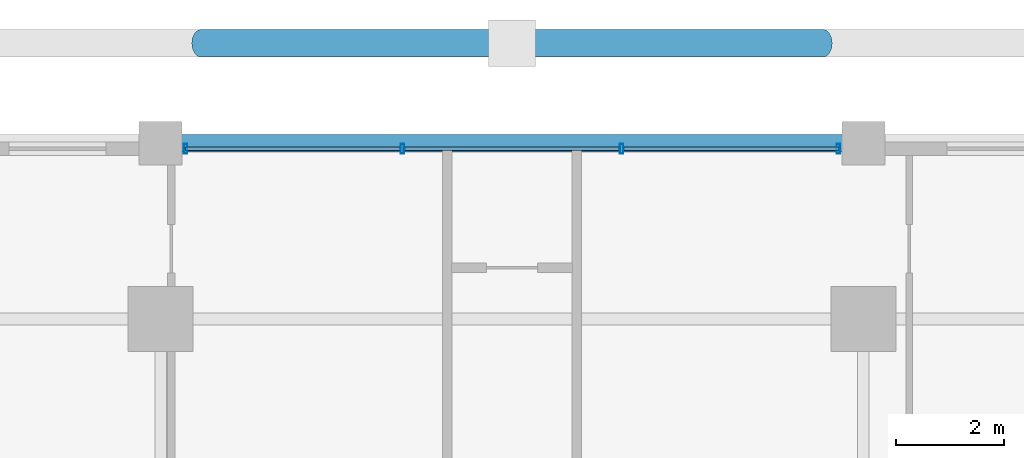
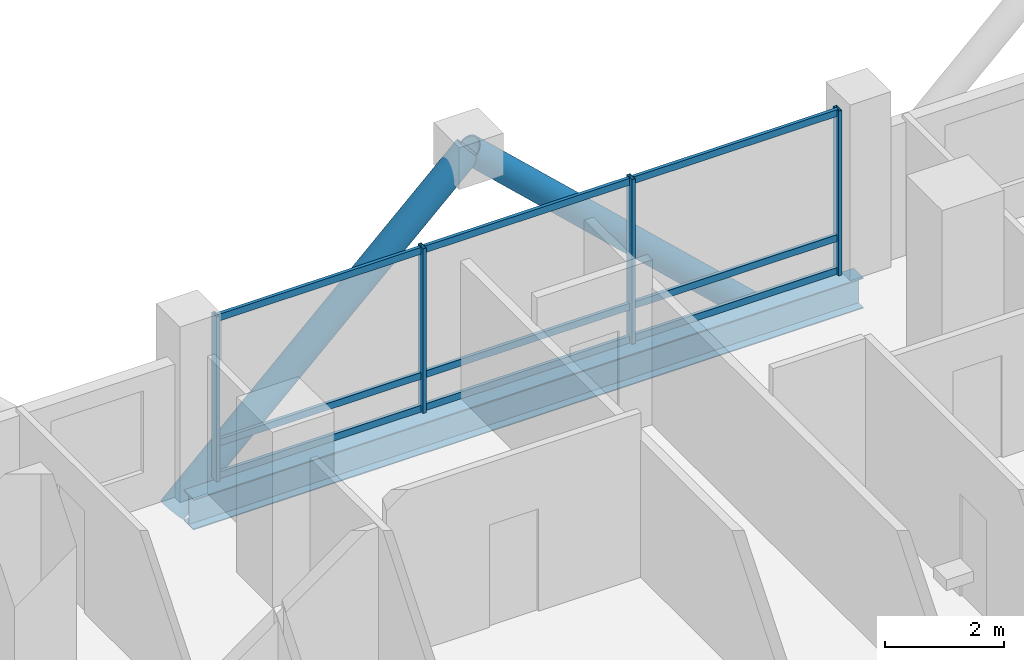
# One storey, part 13 of 23: 15 members, 1 beam, 1 element without a shape of its own.
"""IFC4 building model written with IfcOpenShell, lengths in metres."""

import ifcopenshell
import ifcopenshell.guid

model = None  # the IFC model being written
_history = None  # IfcOwnerHistory: only IFC2X3 demands one
_inside = {}  # id of a spatial element -> (the spatial element, [elements in it])
_under = {}  # id of a project, library or spatial element -> (it, [spatial elements below it])
_declared = {}  # id of a project -> (the project, [libraries it declares])
_typed = {}  # id of a type object -> (the type object, [elements of that type])
_made_of = {}  # id of a material, layer set ... -> (it, [elements and type objects made of it])


def new_model(schema):
    """Start an empty IFC model of exactly this schema.

    Asked for "IFC4X3", IfcOpenShell would pick the latest addendum, in which some entities
    have other attributes; the version numbers below select the first issue.
    IFC2X3 requires an IfcOwnerHistory on every rooted entity: one is made here for all.
    """
    global model, _history
    if schema == "IFC4X3":
        model = ifcopenshell.file(schema_version=(4, 3, 0, 0))
    else:
        model = ifcopenshell.file(schema=schema)
    _inside.clear()
    _under.clear()
    _declared.clear()
    _typed.clear()
    _made_of.clear()
    _history = None
    if model.schema == "IFC2X3":
        org = make("IfcOrganization", Name="unknown")
        user = make(
            "IfcPersonAndOrganization",
            ThePerson=make("IfcPerson", FamilyName="unknown"),
            TheOrganization=org,
        )
        app = make(
            "IfcApplication",
            ApplicationDeveloper=org,
            Version="unknown",
            ApplicationFullName="unknown",
            ApplicationIdentifier="unknown",
        )
        _history = make(
            "IfcOwnerHistory",
            OwningUser=user,
            OwningApplication=app,
            ChangeAction="ADDED",
            CreationDate=0,
        )
    return model


def make(cls, **values):
    """One entity of the class cls with the attributes given. An attribute that is None is left unset."""
    return model.create_entity(
        cls, **{name: value for name, value in values.items() if value is not None}
    )


def rooted(cls, **values):
    """An entity with a GlobalId (a new one), such as an element, a storey or a relation."""
    return make(cls, GlobalId=ifcopenshell.guid.new(), OwnerHistory=_history, **values)


def si_unit(unit_type, name, prefix=None):
    """IfcSIUnit, for example si_unit("LENGTHUNIT", "METRE", prefix="MILLI")."""
    return make("IfcSIUnit", UnitType=unit_type, Prefix=prefix, Name=name)


def assignment(units):
    """IfcUnitAssignment: the units of a project."""
    return None if units is None else make("IfcUnitAssignment", Units=units)


def point(xyz):
    """IfcCartesianPoint."""
    return None if xyz is None else make("IfcCartesianPoint", Coordinates=xyz)


def direction(xyz):
    """IfcDirection."""
    return None if xyz is None else make("IfcDirection", DirectionRatios=xyz)


def frame(location, z_axis=None, x_axis=None):
    """IfcAxis2Placement3D, a coordinate frame: its origin and axes. An axis left out is left unset."""
    return make(
        "IfcAxis2Placement3D",
        Location=point(location),
        Axis=direction(z_axis),
        RefDirection=direction(x_axis),
    )


def frame_2d(location, x_axis=None):
    """IfcAxis2Placement2D, a coordinate frame in the plane: its origin and x axis."""
    return make(
        "IfcAxis2Placement2D", Location=point(location), RefDirection=direction(x_axis)
    )


def origin():
    """The frame at (0, 0, 0) with its axes left unset."""
    return frame((0.0, 0.0, 0.0))


def origin_2d():
    """The frame at (0, 0) in the plane with its x axis left unset."""
    return frame_2d((0.0, 0.0))


def place(relative_to, where):
    """IfcLocalPlacement: puts the frame where relative to a parent placement (None: the world)."""
    return make(
        "IfcLocalPlacement", PlacementRelTo=relative_to, RelativePlacement=where
    )


def context(
    kind, dimensions, precision=None, world=None, true_north=None, identifier=None
):
    """IfcGeometricRepresentationContext, for example the 3D "Model" context."""
    return make(
        "IfcGeometricRepresentationContext",
        ContextIdentifier=identifier,
        ContextType=kind,
        CoordinateSpaceDimension=dimensions,
        Precision=precision,
        WorldCoordinateSystem=world,
        TrueNorth=true_north,
    )


def subcontext(parent, identifier, kind, view, scale=None):
    """IfcGeometricRepresentationSubContext, for example "Body" below "Model"."""
    return make(
        "IfcGeometricRepresentationSubContext",
        ContextIdentifier=identifier,
        ContextType=kind,
        ParentContext=parent,
        TargetScale=scale,
        TargetView=view,
    )


def project(units=None, contexts=None):
    """IfcProject with its units and contexts."""
    return rooted(
        "IfcProject",
        Name="project",
        RepresentationContexts=contexts,
        UnitsInContext=assignment(units),
    )


def spatial(cls, under=None, at=None, **own):
    """A site, building, storey or space (cls), placed at a placement, below another one or the project."""
    s = rooted(cls, ObjectPlacement=at, **own)
    if under is not None:
        _under.setdefault(under.id(), (under, []))[1].append(s)
    return s


def profile(cls, at=None, kind="AREA", **sizes):
    """A parametric profile (cls). Its sizes go by their IFC names, for example OverallWidth=200.0."""
    return make(cls, ProfileType=kind, Position=at, **sizes)


def hollow_rectangle(**sizes):
    """IfcRectangleHollowProfileDef."""
    return profile("IfcRectangleHollowProfileDef", **sizes)


def hollow_circle(**sizes):
    """IfcCircleHollowProfileDef."""
    return profile("IfcCircleHollowProfileDef", **sizes)


def i_section(**sizes):
    """IfcIShapeProfileDef."""
    return profile("IfcIShapeProfileDef", **sizes)


def extrude(swept, where, along, depth):
    """IfcExtrudedAreaSolid: the profile swept, set in the frame where, extruded along a direction by depth."""
    return make(
        "IfcExtrudedAreaSolid",
        SweptArea=swept,
        Position=where,
        ExtrudedDirection=direction(along),
        Depth=depth,
    )


def shape(context_of_items, identifier, shape_type, items):
    """IfcShapeRepresentation: the items that make up one representation, for example the "Body"."""
    return make(
        "IfcShapeRepresentation",
        ContextOfItems=context_of_items,
        RepresentationIdentifier=identifier,
        RepresentationType=shape_type,
        Items=items,
    )


def material(Name=None, Category=None):
    """IfcMaterial."""
    return make("IfcMaterial", Name=Name, Category=Category)


def layer(
    of_material, thickness, ventilated=None, Name=None, Category=None, Priority=None
):
    """IfcMaterialLayer: one layer of a wall or slab, of a material (None: an air gap)."""
    return make(
        "IfcMaterialLayer",
        Material=of_material,
        LayerThickness=thickness,
        IsVentilated=ventilated,
        Name=Name,
        Category=Category,
        Priority=Priority,
    )


def layer_set(layers, Name=None):
    """IfcMaterialLayerSet."""
    return make("IfcMaterialLayerSet", MaterialLayers=layers, LayerSetName=Name)


def material_profile(
    of_material, cross_section, Name=None, Category=None, Priority=None
):
    """IfcMaterialProfile: a cross section and its material."""
    return make(
        "IfcMaterialProfile",
        Name=Name,
        Material=of_material,
        Profile=cross_section,
        Priority=Priority,
        Category=Category,
    )


def profile_set(profiles, Name=None, composite=None):
    """IfcMaterialProfileSet."""
    return make(
        "IfcMaterialProfileSet",
        Name=Name,
        MaterialProfiles=profiles,
        CompositeProfile=composite,
    )


def made_of(thing, what):
    """Note that an element or type object is made of a material, layer set ...; save() writes the relation."""
    if what is not None:
        _made_of.setdefault(what.id(), (what, []))[1].append(thing)
    return thing


def type_object(cls, material=None, **own):
    """A type object (cls), such as IfcWallType, which elements share."""
    return made_of(rooted(cls, **own), material)


def element(
    cls,
    number,
    at=None,
    inside=None,
    cuts=None,
    type_object=None,
    material=None,
    context=None,
    identifier="Body",
    shape_type=None,
    held_by="IfcProductDefinitionShape",
    body=None,
    shapes=None,
    **own,
):
    """One element of the class cls, such as IfcWall. Its Tag is "e" and its number.

    at: its placement. inside: the storey or other place that contains it. cuts: it is an
    opening in that element (IfcRelVoidsElement). A single representation is given by context,
    identifier, shape_type and body (its items); several are given by shapes. held_by: the class
    of the entity that holds the representations. save() writes the other relations.
    """
    e = rooted(cls, Tag="e%d" % number, ObjectPlacement=at, **own)
    if body is not None:
        shapes = [shape(context, identifier, shape_type, body)]
    if shapes is not None:
        e.Representation = make(held_by, Representations=shapes)
    if inside is not None:
        _inside.setdefault(inside.id(), (inside, []))[1].append(e)
    if cuts is not None:
        rooted(
            "IfcRelVoidsElement", RelatingBuildingElement=cuts, RelatedOpeningElement=e
        )
    if type_object is not None:
        _typed.setdefault(type_object.id(), (type_object, []))[1].append(e)
    return made_of(e, material)


def aggregate(whole, parts):
    """IfcRelAggregates: a whole, such as a stair, and the parts it consists of."""
    return rooted("IfcRelAggregates", RelatingObject=whole, RelatedObjects=parts)


def save(model, path):
    """Write the relations noted so far, then the file.

    IfcRelAggregates (storeys below a building ...), IfcRelContainedInSpatialStructure (elements
    in a storey), IfcRelDefinesByType, IfcRelAssociatesMaterial and IfcRelDeclares: one each for
    every whole, place, type object, material and project.
    """
    for whole, parts in _under.values():
        aggregate(whole, parts)
    for where, things in _inside.values():
        rooted(
            "IfcRelContainedInSpatialStructure",
            RelatedElements=things,
            RelatingStructure=where,
        )
    for kind, things in _typed.values():
        rooted("IfcRelDefinesByType", RelatedObjects=things, RelatingType=kind)
    for what, things in _made_of.values():
        rooted("IfcRelAssociatesMaterial", RelatedObjects=things, RelatingMaterial=what)
    for by, libraries in _declared.values():
        rooted("IfcRelDeclares", RelatingContext=by, RelatedDefinitions=libraries)
    model.write(path)


model = new_model("IFC4")

# Units and contexts
model_context = context("Model", 3, precision=1e-05, world=origin(), true_north=direction((0.0, 1.0)))
body_context = subcontext(model_context, "Body", "Model", "MODEL_VIEW")
ifc_project = project(units=[si_unit("LENGTHUNIT", "METRE"), si_unit("AREAUNIT", "SQUARE_METRE"), si_unit("VOLUMEUNIT", "CUBIC_METRE"), si_unit("PLANEANGLEUNIT", "RADIAN"), si_unit("MASSUNIT", "GRAM", prefix="KILO")], contexts=[model_context])

# Site, building, storey
site_placement = place(None, origin())
site = spatial("IfcSite", under=ifc_project, at=site_placement, CompositionType="ELEMENT")
building_placement = place(site_placement, origin())
building = spatial("IfcBuilding", under=site, at=building_placement, Name="Barlavira Tower and Art Museum", CompositionType="ELEMENT")
storey_placement = place(building_placement, frame((0.0, 0.0, 140.39990234375)))
storey = spatial("IfcBuildingStorey", under=building, at=storey_placement, Name="L35", CompositionType="ELEMENT", Elevation=140.39990234375)

# Curtain wall, members
ifc_material_1 = material(Name="Low-iron coastal laminated glass", Category="glass")
ifc_layer = layer(ifc_material_1, 0.18994140625, Name="Low-iron coastal laminated glass")
ifc_layer_set = layer_set([ifc_layer], Name="Low-iron coastal laminated glass")
curtain_wall_type = type_object("IfcCurtainWallType", Name="Pale-Metal Unitised Curtain Wall Zone 2", PredefinedType="NOTDEFINED", material=ifc_layer_set)
curtain_wall_placement = place(storey_placement, origin())
curtain_wall = element("IfcCurtainWall", 1, at=curtain_wall_placement, inside=storey, type_object=curtain_wall_type, Name="L35 Curtain Wall CW2-L35-N-B3", PredefinedType="NOTDEFINED")
ifc_material_2 = material(Name="Pale anodised aluminium", Category="aluminium")
ifc_material_profile_1 = material_profile(ifc_material_2, hollow_rectangle(XDim=0.06494140625, YDim=0.179931640625, WallThickness=0.00390625, at=origin_2d()), Name="ALU-MULL 65x180x4")
ifc_profile_set_1 = profile_set([ifc_material_profile_1], Name="Pale anodised aluminium")
member_type_1 = type_object("IfcMemberType", Name="Curtain Wall Pale-Metal Mullion 65x180", PredefinedType="MULLION", material=ifc_profile_set_1)
member_1_placement = place(storey_placement, frame((6.034912109375, 23.14990234375, 0.0), z_axis=(0.0, 0.0, 1.0), x_axis=(-1.0, 0.0, 0.0)))
member_1 = element("IfcMember", 2, at=member_1_placement, type_object=member_type_1, Name="CW2-L35-N-B3 Mullion 0", PredefinedType="MULLION", context=body_context, shape_type="SweptSolid", body=[
    extrude(hollow_rectangle(XDim=0.06494140625, YDim=0.179931640625, WallThickness=0.00390625, at=origin_2d()), origin(), (0.0, 0.0, 1.0), 3.380126953125),
])
member_2_placement = place(storey_placement, frame((2.026611328125, 23.14990234375, 0.0), z_axis=(0.0, 0.0, 1.0), x_axis=(-1.0, 0.0, 0.0)))
member_2 = element("IfcMember", 3, at=member_2_placement, type_object=member_type_1, Name="CW2-L35-N-B3 Mullion 1", PredefinedType="MULLION", context=body_context, shape_type="SweptSolid", body=[
    extrude(hollow_rectangle(XDim=0.06494140625, YDim=0.179931640625, WallThickness=0.00390625, at=origin_2d()), origin(), (0.0, 0.0, 1.0), 3.380126953125),
])
member_3_placement = place(storey_placement, frame((-2.026611328125, 23.14990234375, 0.0), z_axis=(0.0, 0.0, 1.0), x_axis=(-1.0, 0.0, 0.0)))
member_3 = element("IfcMember", 4, at=member_3_placement, type_object=member_type_1, Name="CW2-L35-N-B3 Mullion 2", PredefinedType="MULLION", context=body_context, shape_type="SweptSolid", body=[
    extrude(hollow_rectangle(XDim=0.06494140625, YDim=0.179931640625, WallThickness=0.00390625, at=origin_2d()), origin(), (0.0, 0.0, 1.0), 3.380126953125),
])
member_4_placement = place(storey_placement, frame((-6.034912109375, 23.14990234375, 0.0), z_axis=(0.0, 0.0, 1.0), x_axis=(-1.0, 0.0, 0.0)))
member_4 = element("IfcMember", 5, at=member_4_placement, type_object=member_type_1, Name="CW2-L35-N-B3 Mullion 3", PredefinedType="MULLION", context=body_context, shape_type="SweptSolid", body=[
    extrude(hollow_rectangle(XDim=0.06494140625, YDim=0.179931640625, WallThickness=0.00390625, at=origin_2d()), origin(), (0.0, 0.0, 1.0), 3.380126953125),
])
ifc_material_profile_2 = material_profile(ifc_material_2, hollow_rectangle(XDim=0.06494140625, YDim=0.139892578125, WallThickness=0.00390625, at=origin_2d()), Name="ALU-TRAN 65x140x4")
ifc_profile_set_2 = profile_set([ifc_material_profile_2], Name="Pale anodised aluminium")
member_type_2 = type_object("IfcMemberType", Name="Curtain Wall Pale-Metal Transom 65x140", PredefinedType="USERDEFINED", material=ifc_profile_set_2)
member_5_placement = place(storey_placement, frame((6.034912109375, 23.14990234375, 0.070068359375), z_axis=(-1.0, 0.0, 0.0), x_axis=(0.0, -1.0, 0.0)))
member_5 = element("IfcMember", 6, at=member_5_placement, type_object=member_type_2, Name="CW2-L35-N-B3 Transom 0.1", ObjectType="TRANSOM", PredefinedType="USERDEFINED", context=body_context, shape_type="SweptSolid", body=[
    extrude(hollow_rectangle(XDim=0.06494140625, YDim=0.139892578125, WallThickness=0.00390625, at=origin_2d()), origin(), (0.0, 0.0, 1.0), 3.963134765625),
])
member_6_placement = place(storey_placement, frame((6.034912109375, 23.14990234375, 0.744140625), z_axis=(-1.0, 0.0, 0.0), x_axis=(0.0, -1.0, 0.0)))
member_6 = element("IfcMember", 7, at=member_6_placement, type_object=member_type_2, Name="CW2-L35-N-B3 Transom 0.2", ObjectType="TRANSOM", PredefinedType="USERDEFINED", context=body_context, shape_type="SweptSolid", body=[
    extrude(hollow_rectangle(XDim=0.06494140625, YDim=0.139892578125, WallThickness=0.00390625, at=origin_2d()), origin(), (0.0, 0.0, 1.0), 3.963134765625),
])
member_7_placement = place(storey_placement, frame((6.034912109375, 23.14990234375, 3.31005859375), z_axis=(-1.0, 0.0, 0.0), x_axis=(0.0, -1.0, 0.0)))
member_7 = element("IfcMember", 8, at=member_7_placement, type_object=member_type_2, Name="CW2-L35-N-B3 Transom 0.3", ObjectType="TRANSOM", PredefinedType="USERDEFINED", context=body_context, shape_type="SweptSolid", body=[
    extrude(hollow_rectangle(XDim=0.06494140625, YDim=0.139892578125, WallThickness=0.00390625, at=origin_2d()), origin(), (0.0, 0.0, 1.0), 3.963134765625),
])
member_8_placement = place(storey_placement, frame((1.981689453125, 23.14990234375, 0.070068359375), z_axis=(-1.0, 0.0, 0.0), x_axis=(0.0, -1.0, 0.0)))
member_8 = element("IfcMember", 9, at=member_8_placement, type_object=member_type_2, Name="CW2-L35-N-B3 Transom 1.1", ObjectType="TRANSOM", PredefinedType="USERDEFINED", context=body_context, shape_type="SweptSolid", body=[
    extrude(hollow_rectangle(XDim=0.06494140625, YDim=0.139892578125, WallThickness=0.00390625, at=origin_2d()), origin(), (0.0, 0.0, 1.0), 3.96337890625),
])
member_9_placement = place(storey_placement, frame((1.981689453125, 23.14990234375, 0.744140625), z_axis=(-1.0, 0.0, 0.0), x_axis=(0.0, -1.0, 0.0)))
member_9 = element("IfcMember", 10, at=member_9_placement, type_object=member_type_2, Name="CW2-L35-N-B3 Transom 1.2", ObjectType="TRANSOM", PredefinedType="USERDEFINED", context=body_context, shape_type="SweptSolid", body=[
    extrude(hollow_rectangle(XDim=0.06494140625, YDim=0.139892578125, WallThickness=0.00390625, at=origin_2d()), origin(), (0.0, 0.0, 1.0), 3.96337890625),
])
member_10_placement = place(storey_placement, frame((1.981689453125, 23.14990234375, 3.31005859375), z_axis=(-1.0, 0.0, 0.0), x_axis=(0.0, -1.0, 0.0)))
member_10 = element("IfcMember", 11, at=member_10_placement, type_object=member_type_2, Name="CW2-L35-N-B3 Transom 1.3", ObjectType="TRANSOM", PredefinedType="USERDEFINED", context=body_context, shape_type="SweptSolid", body=[
    extrude(hollow_rectangle(XDim=0.06494140625, YDim=0.139892578125, WallThickness=0.00390625, at=origin_2d()), origin(), (0.0, 0.0, 1.0), 3.96337890625),
])
member_11_placement = place(storey_placement, frame((-2.07177734375, 23.14990234375, 0.070068359375), z_axis=(-1.0, 0.0, 0.0), x_axis=(0.0, -1.0, 0.0)))
member_11 = element("IfcMember", 12, at=member_11_placement, type_object=member_type_2, Name="CW2-L35-N-B3 Transom 2.1", ObjectType="TRANSOM", PredefinedType="USERDEFINED", context=body_context, shape_type="SweptSolid", body=[
    extrude(hollow_rectangle(XDim=0.06494140625, YDim=0.139892578125, WallThickness=0.00390625, at=origin_2d()), origin(), (0.0, 0.0, 1.0), 3.963134765625),
])
member_12_placement = place(storey_placement, frame((-2.07177734375, 23.14990234375, 0.744140625), z_axis=(-1.0, 0.0, 0.0), x_axis=(0.0, -1.0, 0.0)))
member_12 = element("IfcMember", 13, at=member_12_placement, type_object=member_type_2, Name="CW2-L35-N-B3 Transom 2.2", ObjectType="TRANSOM", PredefinedType="USERDEFINED", context=body_context, shape_type="SweptSolid", body=[
    extrude(hollow_rectangle(XDim=0.06494140625, YDim=0.139892578125, WallThickness=0.00390625, at=origin_2d()), origin(), (0.0, 0.0, 1.0), 3.963134765625),
])
member_13_placement = place(storey_placement, frame((-2.07177734375, 23.14990234375, 3.31005859375), z_axis=(-1.0, 0.0, 0.0), x_axis=(0.0, -1.0, 0.0)))
member_13 = element("IfcMember", 14, at=member_13_placement, type_object=member_type_2, Name="CW2-L35-N-B3 Transom 2.3", ObjectType="TRANSOM", PredefinedType="USERDEFINED", context=body_context, shape_type="SweptSolid", body=[
    extrude(hollow_rectangle(XDim=0.06494140625, YDim=0.139892578125, WallThickness=0.00390625, at=origin_2d()), origin(), (0.0, 0.0, 1.0), 3.963134765625),
])
aggregate(curtain_wall, [member_1, member_2, member_3, member_4, member_5, member_6, member_7, member_8, member_9, member_10, member_11, member_12, member_13])

# Members
ifc_material_3 = material(Name="Steel S355", Category="steel")
ifc_material_profile_3 = material_profile(ifc_material_3, hollow_circle(Radius=0.25390625, WallThickness=0.022216796875, at=origin_2d()), Name="CHS 508.0x22.2")
ifc_profile_set_3 = profile_set([ifc_material_profile_3], Name="Steel S355")
member_type_3 = type_object("IfcMemberType", Name="Pale-Metal Exoskeleton Diagrid Tube CHS 508x22 Steel S355", PredefinedType="BRACE", material=ifc_profile_set_3)
for number, where, z_axis, x_axis, name in (
    (15, (-5.75, 25.10009765625, -1.919921875), (0.728950095515, 0.0, 0.684566839869), (0.0, 1.0, 0.0), "L35 Exoskeleton Diagrid Tube N"),
    (16, (5.75, 25.10009765625, -1.919921875), (-0.728950095515, 0.0, 0.684566839869), (0.0, -1.0, 0.0), "L35 Exoskeleton Diagrid Tube N"),
):
    element("IfcMember", number, at=place(storey_placement, frame(where, z_axis=z_axis, x_axis=x_axis)), inside=storey, type_object=member_type_3, Name=name, PredefinedType="BRACE", context=body_context, shape_type="SweptSolid", body=[
        extrude(hollow_circle(Radius=0.25390625, WallThickness=0.022216796875, at=origin_2d()), origin(), (0.0, 0.0, 1.0), 7.887939453125),
    ])

# Beam
ifc_material_profile_4 = material_profile(ifc_material_3, i_section(OverallWidth=0.327880859375, OverallDepth=0.62890625, WebThickness=0.013916015625, FlangeThickness=0.021484375, at=origin_2d()), Name="W610x174.0")
ifc_profile_set_4 = profile_set([ifc_material_profile_4], Name="Steel S355")
beam_type = type_object("IfcBeamType", Name="Perimeter Spandrel Edge Beam W610x174 Steel S355", PredefinedType="SPANDREL", material=ifc_profile_set_4)
beam_placement = place(storey_placement, frame((-6.5, 23.25, -0.534423828125), z_axis=(1.0, 0.0, 0.0), x_axis=(0.0, 1.0, 0.0)))
element("IfcBeam", 17, at=beam_placement, inside=storey, type_object=beam_type, Name="L35 Spandrel 10", PredefinedType="SPANDREL", context=body_context, shape_type="SweptSolid", body=[
    extrude(i_section(OverallWidth=0.327880859375, OverallDepth=0.62890625, WebThickness=0.013916015625, FlangeThickness=0.021484375, at=origin_2d()), origin(), (0.0, 0.0, 1.0), 13.0),
])

save(model, "model.ifc")
